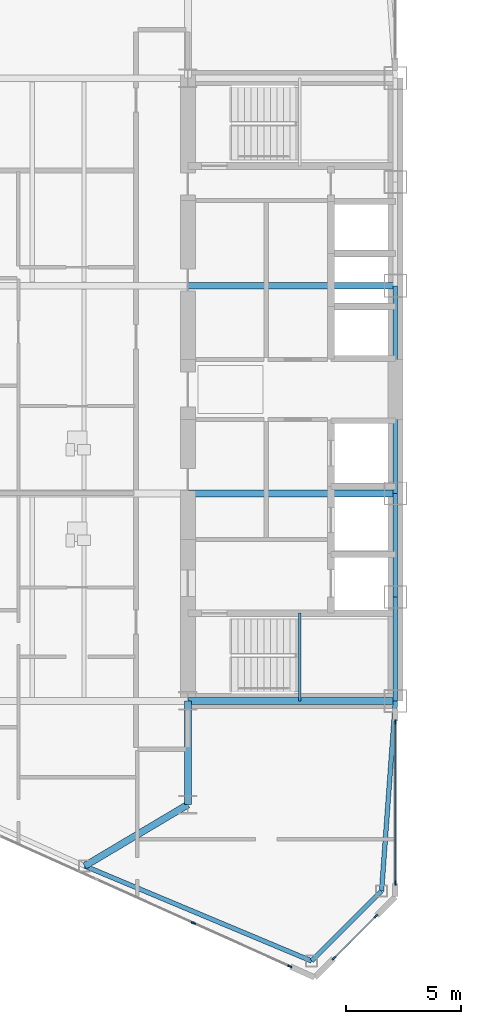
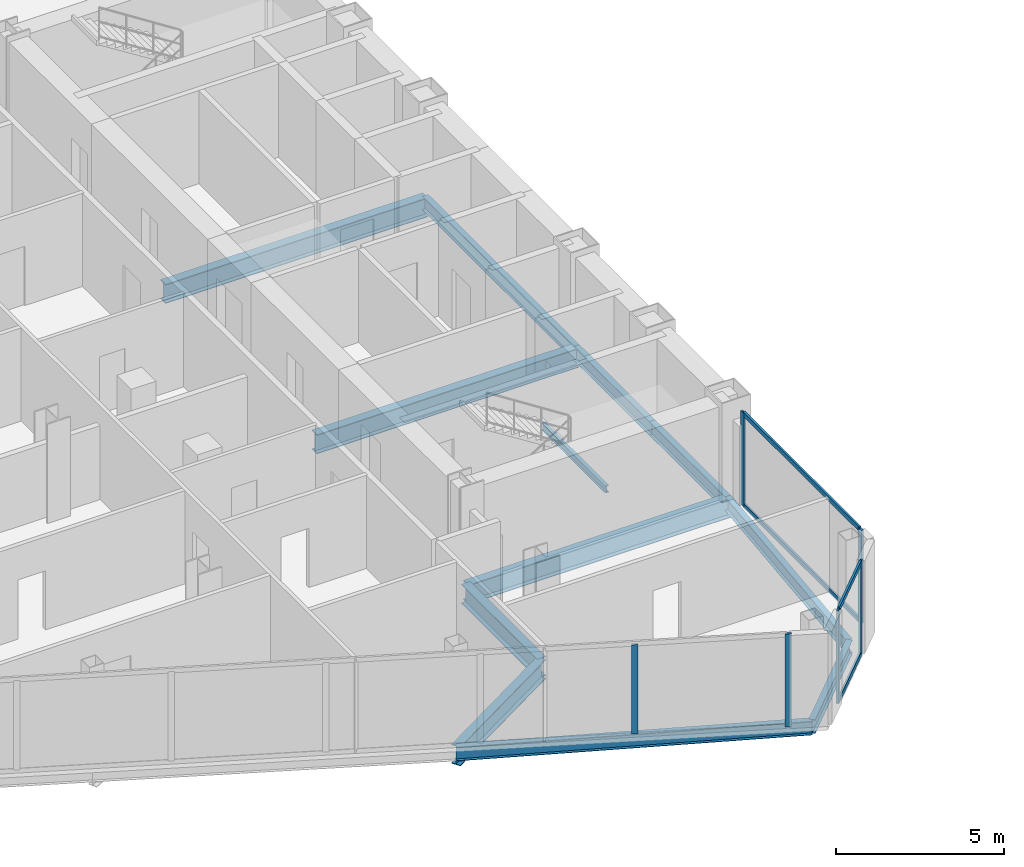
# One storey, part 6 of 27: 12 beams, 10 members, 3 elements without a shape of their own.
"""IFC4 building model written with IfcOpenShell, lengths in metres."""

from ifc_helpers import new_model, si_unit, direction, frame, origin, origin_2d, place, context, subcontext, project, spatial, rectangle, i_section, extrude, source, transform, mapped, material, layer, layer_set, material_profile, profile_set, type_object, type_shapes, element, aggregate, save


model = new_model("IFC4")

# Units and contexts
model_context = context("Model", 3, precision=1e-05, world=origin(), true_north=direction((0.0, 1.0)))
body_context = subcontext(model_context, "Body", "Model", "MODEL_VIEW")
ifc_project = project(units=[si_unit("LENGTHUNIT", "METRE"), si_unit("AREAUNIT", "SQUARE_METRE"), si_unit("VOLUMEUNIT", "CUBIC_METRE"), si_unit("PLANEANGLEUNIT", "RADIAN"), si_unit("MASSUNIT", "GRAM", prefix="KILO")], contexts=[model_context])

# Site, building, storey
site_placement = place(None, origin())
site = spatial("IfcSite", under=ifc_project, at=site_placement, CompositionType="ELEMENT")
building_placement = place(site_placement, origin())
building = spatial("IfcBuilding", under=site, at=building_placement, Name="Seokmaru Belvedere", CompositionType="ELEMENT")
storey_placement = place(building_placement, frame((0.0, 0.0, 65.699951171875)))
storey = spatial("IfcBuildingStorey", under=building, at=storey_placement, Name="L17", CompositionType="ELEMENT", Elevation=65.699951171875)

# Beams
ifc_material_1 = material(Name="Steel SM355 (355 MPa)", Category="steel")
ifc_material_profile_1 = material_profile(ifc_material_1, i_section(OverallWidth=0.199951171875, OverallDepth=0.5, WebThickness=0.010009765625, FlangeThickness=0.01611328125, at=origin_2d()), Name="H-500x200x10x16")
ifc_profile_set_1 = profile_set([ifc_material_profile_1], Name="Steel SM355 (355 MPa)")
beam_type_1 = type_object("IfcBeamType", Name="Perimeter Spandrel Beam H-500", PredefinedType="SPANDREL", material=ifc_profile_set_1)
shared_shape_1 = source(origin(), body_context, "Body", "SweptSolid", [
    extrude(i_section(OverallWidth=0.199951171875, OverallDepth=0.5, WebThickness=0.010009765625, FlangeThickness=0.01611328125, at=origin_2d()), origin(), (0.0, 0.0, 1.0), 4.5),
])
for number, where, z_axis, x_axis, name in (
    (1, (-27.5, -13.5, -0.469970703125), (0.0, 1.0, 0.0), (-1.0, 0.0, 0.0), "L17 W Portal Spine Spandrel 1"),
    (2, (-27.5, -9.0, -0.469970703125), (0.0, 1.0, 0.0), (-1.0, 0.0, 0.0), "L17 W Portal Spine Spandrel 2"),
):
    element("IfcBeam", number, at=place(storey_placement, frame(where, z_axis=z_axis, x_axis=x_axis)), inside=storey, type_object=beam_type_1, Name=name, PredefinedType="SPANDREL", context=body_context, shape_type="MappedRepresentation", body=[
        mapped(shared_shape_1, transform((0.0, 0.0, 0.0), scale=1.0)),
    ])
shared_shape_2 = source(origin(), body_context, "Body", "SweptSolid", [
    extrude(i_section(OverallWidth=0.199951171875, OverallDepth=0.5, WebThickness=0.010009765625, FlangeThickness=0.01611328125, at=origin_2d()), origin(), (0.0, 0.0, 1.0), 9.0),
])
beam_1_placement = place(storey_placement, frame((-27.5, -4.5, -0.469970703125), z_axis=(0.0, 1.0, 0.0), x_axis=(-1.0, 0.0, 0.0)))
element("IfcBeam", 3, at=beam_1_placement, inside=storey, type_object=beam_type_1, Name="L17 W Portal Spine Spandrel 3", PredefinedType="SPANDREL", context=body_context, shape_type="MappedRepresentation", body=[
    mapped(shared_shape_2, transform((0.0, 0.0, 0.0), scale=1.0)),
])
ifc_material_profile_2 = material_profile(ifc_material_1, i_section(OverallWidth=0.300048828125, OverallDepth=0.699951171875, WebThickness=0.012939453125, FlangeThickness=0.02392578125, at=origin_2d()), Name="H-700x300x13x24")
ifc_profile_set_2 = profile_set([ifc_material_profile_2], Name="Steel SM355 (355 MPa)")
beam_type_2 = type_object("IfcBeamType", Name="Primary Floor Girder H-700", PredefinedType="BEAM", material=ifc_profile_set_2)
shared_shape_3 = source(origin(), body_context, "Body", "SweptSolid", [
    extrude(i_section(OverallWidth=0.300048828125, OverallDepth=0.699951171875, WebThickness=0.012939453125, FlangeThickness=0.02392578125, at=origin_2d()), origin(), (0.0, 0.0, 1.0), 4.5),
])
beam_2_placement = place(storey_placement, frame((-36.5, -18.0, -0.570068359375), z_axis=(0.0, 1.0, 0.0), x_axis=(-1.0, 0.0, 0.0)))
element("IfcBeam", 4, at=beam_2_placement, inside=storey, type_object=beam_type_2, Name="L17 W Core Shoulder Girder S", PredefinedType="BEAM", context=body_context, shape_type="MappedRepresentation", body=[
    mapped(shared_shape_3, transform((0.0, 0.0, 0.0), scale=1.0)),
])
shared_shape_4 = source(origin(), body_context, "Body", "SweptSolid", [
    extrude(i_section(OverallWidth=0.300048828125, OverallDepth=0.699951171875, WebThickness=0.012939453125, FlangeThickness=0.02392578125, at=origin_2d()), origin(), (0.0, 0.0, 1.0), 9.0),
])
for number, where, z_axis, x_axis, name in (
    (5, (-36.5, -13.5, -0.570068359375), (1.0, 0.0, 0.0), (0.0, 1.0, 0.0), "L17 W Core Tie Girder 1"),
    (6, (-36.5, -4.5, -0.570068359375), (1.0, 0.0, 0.0), (0.0, 1.0, 0.0), "L17 W Core Tie Girder 2"),
    (7, (-36.5, 4.5, -0.570068359375), (1.0, 0.0, 0.0), (0.0, 1.0, 0.0), "L17 W Core Tie Girder 3"),
):
    element("IfcBeam", number, at=place(storey_placement, frame(where, z_axis=z_axis, x_axis=x_axis)), inside=storey, type_object=beam_type_2, Name=name, PredefinedType="BEAM", context=body_context, shape_type="MappedRepresentation", body=[
        mapped(shared_shape_4, transform((0.0, 0.0, 0.0), scale=1.0)),
    ])
shared_shape_5 = source(origin(), body_context, "Body", "SweptSolid", [
    extrude(i_section(OverallWidth=0.199951171875, OverallDepth=0.5, WebThickness=0.010009765625, FlangeThickness=0.01611328125, at=origin_2d()), origin(), (0.0, 0.0, 1.0), 10.66943359375),
])
beam_3_placement = place(storey_placement, frame((-31.13134765625, -24.782958984375, -0.469970703125), z_axis=(-0.922375393128, 0.386294750355, 0.0), x_axis=(-0.386294750355, -0.922375393128, 0.0)))
element("IfcBeam", 8, at=beam_3_placement, inside=storey, type_object=beam_type_1, Name="L17 W Faceted Flank Spandrel S-1", PredefinedType="SPANDREL", context=body_context, shape_type="MappedRepresentation", body=[
    mapped(shared_shape_5, transform((0.0, 0.0, 0.0), scale=1.0)),
])
shared_shape_6 = source(origin(), body_context, "Body", "SweptSolid", [
    extrude(i_section(OverallWidth=0.199951171875, OverallDepth=0.5, WebThickness=0.010009765625, FlangeThickness=0.01611328125, at=origin_2d()), origin(), (0.0, 0.0, 1.0), 4.287109375),
])
beam_4_placement = place(storey_placement, frame((-31.13134765625, -24.782958984375, -0.469970703125), z_axis=(0.707078306132, 0.707135255094, 0.0), x_axis=(-0.707135255094, 0.707078306132, 0.0)))
element("IfcBeam", 9, at=beam_4_placement, inside=storey, type_object=beam_type_1, Name="L17 W Shoulder Chamfer Spandrel S", PredefinedType="SPANDREL", context=body_context, shape_type="MappedRepresentation", body=[
    mapped(shared_shape_6, transform((0.0, 0.0, 0.0), scale=1.0)),
])
shared_shape_7 = source(origin(), body_context, "Body", "SweptSolid", [
    extrude(i_section(OverallWidth=0.199951171875, OverallDepth=0.5, WebThickness=0.010009765625, FlangeThickness=0.01611328125, at=origin_2d()), origin(), (0.0, 0.0, 1.0), 8.273193359375),
])
type_shapes(beam_type_1, [shared_shape_1, shared_shape_2, shared_shape_5, shared_shape_6, shared_shape_7])
beam_5_placement = place(storey_placement, frame((-28.10009765625, -21.75146484375, -0.469970703125), z_axis=(0.072534628348, 0.99736589459, 0.0), x_axis=(-0.99736589459, 0.072534628348, 0.0)))
element("IfcBeam", 10, at=beam_5_placement, inside=storey, type_object=beam_type_1, Name="L17 W Shoulder Spine Spandrel S", PredefinedType="SPANDREL", context=body_context, shape_type="MappedRepresentation", body=[
    mapped(shared_shape_7, transform((0.0, 0.0, 0.0), scale=1.0)),
])
shared_shape_8 = source(origin(), body_context, "Body", "SweptSolid", [
    extrude(i_section(OverallWidth=0.300048828125, OverallDepth=0.699951171875, WebThickness=0.012939453125, FlangeThickness=0.02392578125, at=origin_2d()), origin(), (0.0, 0.0, 1.0), 5.20458984375),
])
type_shapes(beam_type_2, [shared_shape_3, shared_shape_4, shared_shape_8])
beam_6_placement = place(storey_placement, frame((-40.97265625, -20.661376953125, -0.570068359375), z_axis=(0.859370434188, 0.511353553662, 0.0), x_axis=(-0.511353553662, 0.859370434188, 0.0)))
element("IfcBeam", 11, at=beam_6_placement, inside=storey, type_object=beam_type_2, Name="L17 W Flank Radial Floor Girder S-1", PredefinedType="BEAM", context=body_context, shape_type="MappedRepresentation", body=[
    mapped(shared_shape_8, transform((0.0, 0.0, 0.0), scale=1.0)),
])

# Curtain wall, members
ifc_material_2 = material(Name="Bronze Triple Insulating Glass", Category="glass")
ifc_layer = layer(ifc_material_2, 0.195068359375)
ifc_layer_set = layer_set([ifc_layer], Name="Bronze Triple Insulating Glass")
curtain_wall_type = type_object("IfcCurtainWallType", Name="Lower-Mid Tapered Curtain Wall System CW-3", PredefinedType="NOTDEFINED", material=ifc_layer_set)
curtain_wall_1_placement = place(storey_placement, origin())
curtain_wall_1 = element("IfcCurtainWall", 12, at=curtain_wall_1_placement, inside=storey, type_object=curtain_wall_type, Name="L17 Curtain Wall WSP_1", PredefinedType="NOTDEFINED")
ifc_material_3 = material(Name="Anodised Bronze Aluminium", Category="aluminium")
ifc_material_profile_3 = material_profile(ifc_material_3, rectangle(XDim=0.070068359375, YDim=0.1650390625, at=origin_2d()), Name="CW-T-70x165")
ifc_profile_set_3 = profile_set([ifc_material_profile_3], Name="Anodised Bronze Aluminium")
member_type_1 = type_object("IfcMemberType", Name="Bronze Unitised Transom 70x165", PredefinedType="USERDEFINED", material=ifc_profile_set_3)
shared_shape_9 = source(origin(), body_context, "Body", "SweptSolid", [
    extrude(rectangle(XDim=0.070068359375, YDim=0.1650390625, at=origin_2d()), origin(), (0.0, 0.0, 1.0), 6.91015625),
])
member_1_placement = place(storey_placement, frame((-27.5, -21.360107421875, 0.03515625), z_axis=(0.0, 1.0, 0.0), x_axis=(-1.0, 0.0, 0.0)))
member_1 = element("IfcMember", 13, at=member_1_placement, type_object=member_type_1, Name="CW:L17:WSP_1 Continuous Transom 1", ObjectType="TRANSOM", PredefinedType="USERDEFINED", context=body_context, shape_type="MappedRepresentation", body=[
    mapped(shared_shape_9, transform((0.0, 0.0, 0.0), scale=1.0)),
])
member_2_placement = place(storey_placement, frame((-27.5, -21.360107421875, 3.344970703125), z_axis=(0.0, 1.0, 0.0), x_axis=(-1.0, 0.0, 0.0)))
member_2 = element("IfcMember", 14, at=member_2_placement, type_object=member_type_1, Name="CW:L17:WSP_1 Continuous Transom 2", ObjectType="TRANSOM", PredefinedType="USERDEFINED", context=body_context, shape_type="MappedRepresentation", body=[
    mapped(shared_shape_9, transform((0.0, 0.0, 0.0), scale=1.0)),
])

curtain_wall_2_placement = place(storey_placement, origin())
curtain_wall_2 = element("IfcCurtainWall", 15, at=curtain_wall_2_placement, inside=storey, type_object=curtain_wall_type, Name="L17 Curtain Wall WF6", PredefinedType="NOTDEFINED")
shared_shape_10 = source(origin(), body_context, "Body", "SweptSolid", [
    extrude(rectangle(XDim=0.070068359375, YDim=0.1650390625, at=origin_2d()), origin(), (0.0, 0.0, 1.0), 2.509521484375),
])
type_shapes(member_type_1, [shared_shape_9, shared_shape_10])
member_3_placement = place(storey_placement, frame((-30.13720703125, -24.63720703125, 0.03515625), z_axis=(0.707106781187, 0.707106781187, 0.0), x_axis=(-0.707106781187, 0.707106781187, 0.0)))
member_3 = element("IfcMember", 16, at=member_3_placement, type_object=member_type_1, Name="CW:L17:WF6 Continuous Transom 1", ObjectType="TRANSOM", PredefinedType="USERDEFINED", context=body_context, shape_type="MappedRepresentation", body=[
    mapped(shared_shape_10, transform((0.0, 0.0, 0.0), scale=1.0)),
])
member_4_placement = place(storey_placement, frame((-30.13720703125, -24.63720703125, 3.344970703125), z_axis=(0.707106781187, 0.707106781187, 0.0), x_axis=(-0.707106781187, 0.707106781187, 0.0)))
member_4 = element("IfcMember", 17, at=member_4_placement, type_object=member_type_1, Name="CW:L17:WF6 Continuous Transom 2", ObjectType="TRANSOM", PredefinedType="USERDEFINED", context=body_context, shape_type="MappedRepresentation", body=[
    mapped(shared_shape_10, transform((0.0, 0.0, 0.0), scale=1.0)),
])

# Curtain wall, member
curtain_wall_3_placement = place(storey_placement, origin())
curtain_wall_3 = element("IfcCurtainWall", 18, at=curtain_wall_3_placement, inside=storey, type_object=curtain_wall_type, Name="L17 Curtain Wall WF5", PredefinedType="NOTDEFINED")
ifc_material_profile_4 = material_profile(ifc_material_3, rectangle(XDim=0.070068359375, YDim=0.195068359375, at=origin_2d()), Name="CW-M-70x195")
ifc_profile_set_4 = profile_set([ifc_material_profile_4], Name="Anodised Bronze Aluminium")
member_type_2 = type_object("IfcMemberType", Name="Bronze Unitised Mullion 70x195", PredefinedType="MULLION", material=ifc_profile_set_4)
shared_shape_11 = source(origin(), body_context, "Body", "SweptSolid", [
    extrude(rectangle(XDim=0.070068359375, YDim=0.195068359375, at=origin_2d()), origin(), (0.0, 0.0, 1.0), 3.239990234375),
])
member_5_placement = place(storey_placement, frame((-36.260009765625, -23.133056640625, 0.070068359375), z_axis=(0.0, 0.0, 1.0), x_axis=(0.41036554765, 0.91192111353, 0.0)))
member_5 = element("IfcMember", 19, at=member_5_placement, type_object=member_type_2, Name="CW:L17:WF5 Mullion 9", PredefinedType="MULLION", context=body_context, shape_type="MappedRepresentation", body=[
    mapped(shared_shape_11, transform((0.0, 0.0, 0.0), scale=1.0)),
])

# Member
shared_shape_12 = source(origin(), body_context, "Body", "SweptSolid", [
    extrude(rectangle(XDim=0.070068359375, YDim=0.195068359375, at=origin_2d()), origin(), (0.0, 0.0, 1.0), 3.380126953125),
])
type_shapes(member_type_2, [shared_shape_11, shared_shape_12])
member_6_placement = place(storey_placement, frame((-27.5, -21.39501953125, 0.0), z_axis=(0.0, 0.0, 1.0), x_axis=(-1.0, 0.0, 0.0)))
member_6 = element("IfcMember", 20, at=member_6_placement, type_object=member_type_2, Name="CW:L17:WSP_1 Mullion 1", PredefinedType="MULLION", context=body_context, shape_type="MappedRepresentation", body=[
    mapped(shared_shape_12, transform((0.0, 0.0, 0.0), scale=1.0)),
])

member_7_placement = place(storey_placement, frame((-27.5, -14.4150390625, 0.0), z_axis=(0.0, 0.0, 1.0), x_axis=(-1.0, 0.0, 0.0)))
member_7 = element("IfcMember", 21, at=member_7_placement, type_object=member_type_2, Name="CW:L17:WSP_1 Mullion 2", PredefinedType="MULLION", context=body_context, shape_type="MappedRepresentation", body=[
    mapped(shared_shape_12, transform((0.0, 0.0, 0.0), scale=1.0)),
])

aggregate(curtain_wall_1, [member_6, member_7, member_1, member_2])

member_8_placement = place(storey_placement, frame((-32.08056640625, -25.013671875, 0.0), z_axis=(0.0, 0.0, 1.0), x_axis=(0.41036554765, 0.91192111353, 0.0)))
member_8 = element("IfcMember", 22, at=member_8_placement, type_object=member_type_2, Name="CW:L17:WF5 Mullion 10", PredefinedType="MULLION", context=body_context, shape_type="MappedRepresentation", body=[
    mapped(shared_shape_12, transform((0.0, 0.0, 0.0), scale=1.0)),
])

aggregate(curtain_wall_3, [member_5, member_8])

member_9_placement = place(storey_placement, frame((-30.162109375, -24.662109375, 0.0), z_axis=(0.0, 0.0, 1.0), x_axis=(-0.707106781187, 0.707106781187, 0.0)))
member_9 = element("IfcMember", 23, at=member_9_placement, type_object=member_type_2, Name="CW:L17:WF6 Mullion 1", PredefinedType="MULLION", context=body_context, shape_type="MappedRepresentation", body=[
    mapped(shared_shape_12, transform((0.0, 0.0, 0.0), scale=1.0)),
])

member_10_placement = place(storey_placement, frame((-28.337890625, -22.837890625, 0.0), z_axis=(0.0, 0.0, 1.0), x_axis=(-0.707106781187, 0.707106781187, 0.0)))
member_10 = element("IfcMember", 24, at=member_10_placement, type_object=member_type_2, Name="CW:L17:WF6 Mullion 2", PredefinedType="MULLION", context=body_context, shape_type="MappedRepresentation", body=[
    mapped(shared_shape_12, transform((0.0, 0.0, 0.0), scale=1.0)),
])

aggregate(curtain_wall_2, [member_9, member_10, member_3, member_4])

# Beam
ifc_material_profile_5 = material_profile(ifc_material_1, i_section(OverallWidth=0.125, OverallDepth=0.25, WebThickness=0.006103515625, FlangeThickness=0.009033203125, at=origin_2d()), Name="H-250x125x6x9")
ifc_profile_set_5 = profile_set([ifc_material_profile_5], Name="Steel SM355 (355 MPa)")
beam_type_3 = type_object("IfcBeamType", Name="Stair Mid-Landing Support Beam H-250", PredefinedType="JOIST", material=ifc_profile_set_5)
shared_shape_13 = source(origin(), body_context, "Body", "SweptSolid", [
    extrude(i_section(OverallWidth=0.125, OverallDepth=0.25, WebThickness=0.006103515625, FlangeThickness=0.009033203125, at=origin_2d()), origin(), (0.0, 0.0, 1.0), 3.800048828125),
])
type_shapes(beam_type_3, [shared_shape_13])
beam_7_placement = place(storey_placement, frame((-31.64990234375, -13.5, 1.47509765625), z_axis=(0.0, 1.0, 0.0), x_axis=(-1.0, 0.0, 0.0)))
element("IfcBeam", 25, at=beam_7_placement, inside=storey, type_object=beam_type_3, Name="L17 Stair ST-W1 Mid-Landing Support Beam 1", PredefinedType="JOIST", context=body_context, shape_type="MappedRepresentation", body=[
    mapped(shared_shape_13, transform((0.0, 0.0, 0.0), scale=1.0)),
])

save(model, "model.ifc")
